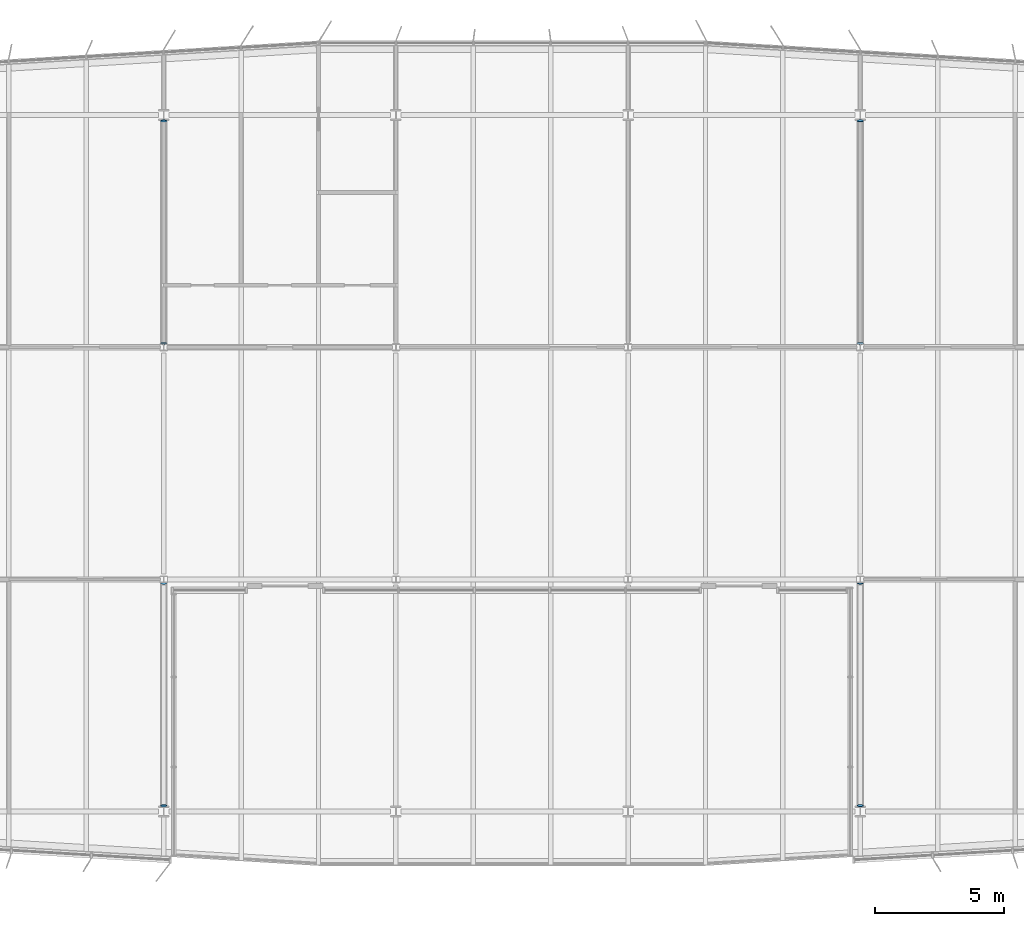
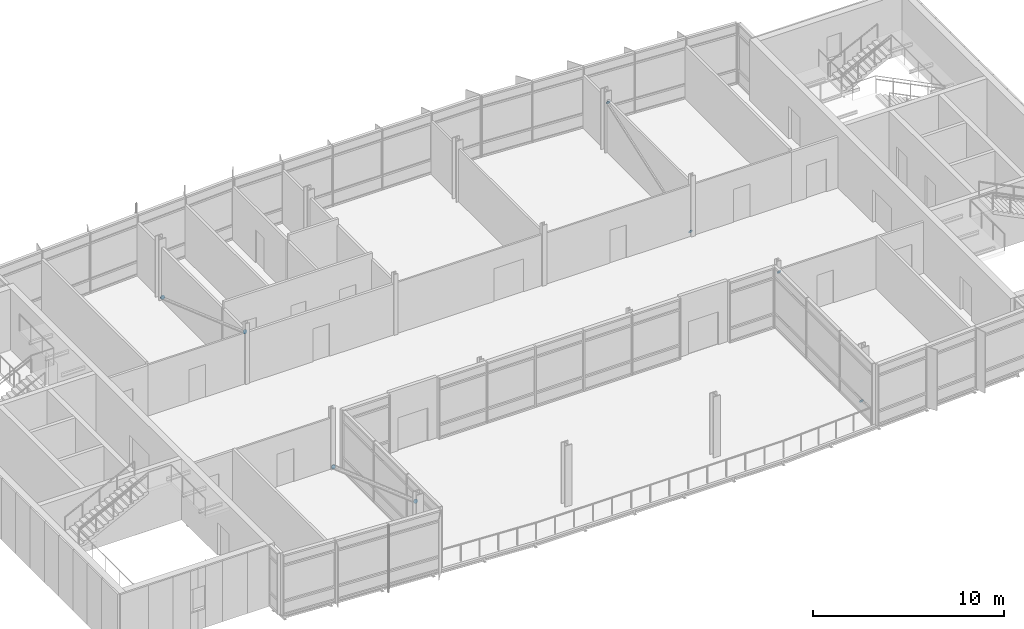
# One storey, part 15 of 19: 8 discrete accessories.
"""IFC4 building model written with IfcOpenShell, lengths in metres."""

from ifc_helpers import new_model, si_unit, direction, frame, origin, origin_2d, place, context, subcontext, project, spatial, circle, extrude, material, material_profile, profile_set, type_object, element, save


model = new_model("IFC4")

# Units and contexts
model_context = context("Model", 3, precision=1e-05, world=origin(), true_north=direction((0.0, 1.0)))
body_context = subcontext(model_context, "Body", "Model", "MODEL_VIEW")
ifc_project = project(units=[si_unit("LENGTHUNIT", "METRE"), si_unit("AREAUNIT", "SQUARE_METRE"), si_unit("VOLUMEUNIT", "CUBIC_METRE"), si_unit("PLANEANGLEUNIT", "RADIAN"), si_unit("MASSUNIT", "GRAM", prefix="KILO")], contexts=[model_context])

# Site, building, storey
site_placement = place(None, origin())
site = spatial("IfcSite", under=ifc_project, at=site_placement, CompositionType="ELEMENT")
building_placement = place(site_placement, origin())
building = spatial("IfcBuilding", under=site, at=building_placement, Name="Azimuth Sports and Learning Centre", CompositionType="ELEMENT")
storey_placement = place(building_placement, frame((0.0, 0.0, 67.5)))
storey = spatial("IfcBuildingStorey", under=building, at=storey_placement, Name="L15", CompositionType="ELEMENT", Elevation=67.5)

# Discrete accessories
ifc_material = material(Name="Steel S355", Category="steel")
ifc_material_profile = material_profile(ifc_material, circle(Radius=0.122314453125, at=origin_2d()), Name="PL 244 DISC")
ifc_profile_set = profile_set([ifc_material_profile], Name="Steel S355")
discrete_accessory_type = type_object("IfcDiscreteAccessoryType", Name="End plate CHS 244.5x12.5", PredefinedType="USERDEFINED", material=ifc_profile_set)
for number, where, z_axis, x_axis, name in (
    (1, (72.0, 98.849365234375, 0.16943359375), (0.0, 0.943667134088, -0.330896267797), (-1.0, 0.0, 0.0), "End plate Tower brace 9 L15 lower end"),
    (2, (72.0, 90.238037109375, 3.200439453125), (0.0, -0.943667134088, 0.330896267797), (1.0, 0.0, 0.0), "End plate Tower brace 9 L15 upper end"),
    (3, (72.0, 116.761962890625, 0.16943359375), (0.0, 0.943667134088, -0.330896267797), (-1.0, 0.0, 0.0), "End plate Tower brace 9 L15 lower end"),
    (4, (72.0, 108.150634765625, 3.200439453125), (0.0, -0.943667134088, 0.330896267797), (1.0, 0.0, 0.0), "End plate Tower brace 9 L15 upper end"),
    (5, (99.0, 90.238037109375, 0.16943359375), (0.0, -0.943667134088, -0.330896267797), (1.0, 0.0, 0.0), "End plate Tower brace 12 L15 lower end"),
    (6, (99.0, 98.849365234375, 3.200439453125), (0.0, 0.943667134088, 0.330896267797), (-1.0, 0.0, 0.0), "End plate Tower brace 12 L15 upper end"),
    (7, (99.0, 108.150634765625, 0.16943359375), (0.0, -0.943667134088, -0.330896267797), (1.0, 0.0, 0.0), "End plate Tower brace 12 L15 lower end"),
    (8, (99.0, 116.761962890625, 3.200439453125), (0.0, 0.943667134088, 0.330896267797), (-1.0, 0.0, 0.0), "End plate Tower brace 12 L15 upper end"),
):
    element("IfcDiscreteAccessory", number, at=place(storey_placement, frame(where, z_axis=z_axis, x_axis=x_axis)), inside=storey, type_object=discrete_accessory_type, Name=name, ObjectType="END PLATE", PredefinedType="USERDEFINED", context=body_context, shape_type="SweptSolid", body=[
        extrude(circle(Radius=0.122314453125, at=origin_2d()), origin(), (0.0, 0.0, 1.0), 0.02001953125),
    ])

save(model, "model.ifc")
